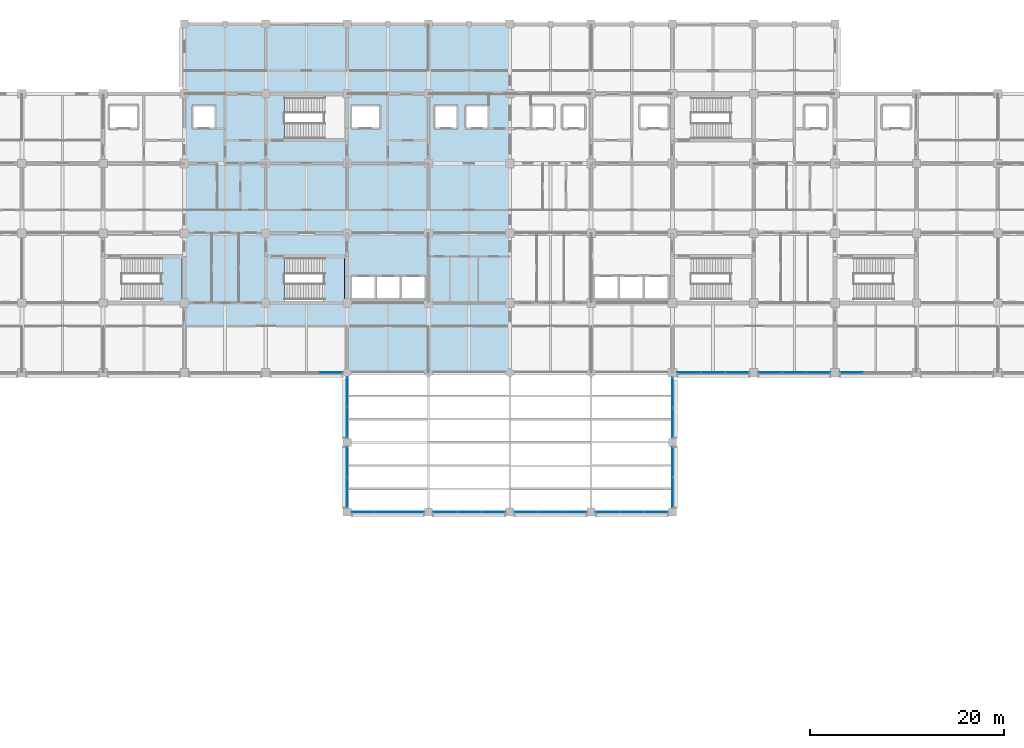
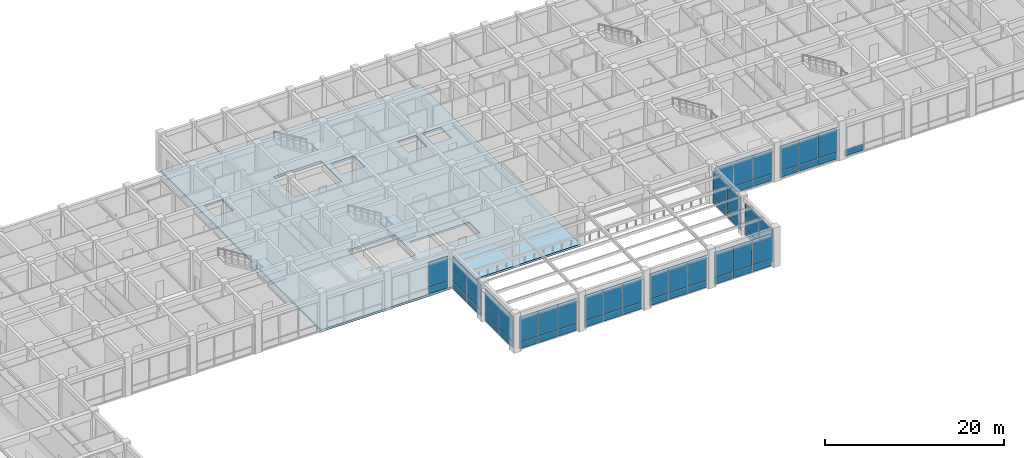
# One storey, part 27 of 58: 55 plates, 3 slabs, 14 elements without a shape of their own.
"""IFC4 building model written with IfcOpenShell, lengths in metres."""

from ifc_helpers import new_model, si_unit, direction, frame, origin, origin_2d, place, context, subcontext, project, spatial, polyline, rectangle, outline, extrude, material, layer, layer_set, type_object, element, aggregate, save


model = new_model("IFC4")

# Units and contexts
model_context = context("Model", 3, precision=1e-05, world=origin(), true_north=direction((0.0, 1.0)))
body_context = subcontext(model_context, "Body", "Model", "MODEL_VIEW")
ifc_project = project(units=[si_unit("LENGTHUNIT", "METRE"), si_unit("AREAUNIT", "SQUARE_METRE"), si_unit("VOLUMEUNIT", "CUBIC_METRE"), si_unit("PLANEANGLEUNIT", "RADIAN"), si_unit("MASSUNIT", "GRAM", prefix="KILO")], contexts=[model_context])

# Site, building, storey
site_placement = place(None, origin())
site = spatial("IfcSite", under=ifc_project, at=site_placement, CompositionType="ELEMENT")
building_placement = place(site_placement, origin())
building = spatial("IfcBuilding", under=site, at=building_placement, Name="Chengyuan Square Courthouse", CompositionType="ELEMENT")
storey_placement = place(building_placement, frame((0.0, 0.0, 16.199951171875)))
storey = spatial("IfcBuildingStorey", under=building, at=storey_placement, Name="L04", CompositionType="ELEMENT", Elevation=16.199951171875)

# Curtain wall, plates
ifc_material_1 = material(Name="Unitised Aluminium and Triple Low-E Glass", Category="aluminium")
ifc_layer_1 = layer(ifc_material_1, 0.179931640625)
ifc_layer_set_1 = layer_set([ifc_layer_1], Name="Unitised Aluminium and Triple Low-E Glass")
curtain_wall_type_1 = type_object("IfcCurtainWallType", Name="CW-10", PredefinedType="USERDEFINED", material=ifc_layer_set_1)
curtain_wall_1_placement = place(storey_placement, origin())
curtain_wall_1 = element("IfcCurtainWall", 1, at=curtain_wall_1_placement, inside=storey, type_object=curtain_wall_type_1, Name="Unitised Curtain Wall CW-L04-139", ObjectType="UNITISED CURTAIN WALL", PredefinedType="USERDEFINED")
ifc_material_2 = material(Name="Triple Low-E Insulating Glass", Category="glass")
ifc_layer_2 = layer(ifc_material_2, 0.052001953125)
ifc_layer_set_2 = layer_set([ifc_layer_2], Name="Triple Low-E Insulating Glass")
plate_type_1 = type_object("IfcPlateType", Name="CWP-04", PredefinedType="CURTAIN_PANEL", material=ifc_layer_set_2)
plate_1_placement = place(storey_placement, frame((65.504638671875, 79.199951171875, 0.06494140625), z_axis=(0.0, 0.0, 1.0), x_axis=(1.0, 0.0, 0.0)))
plate_1 = element("IfcPlate", 2, at=plate_1_placement, type_object=plate_type_1, Name="CW-10 panel 3.1", PredefinedType="CURTAIN_PANEL", context=body_context, shape_type="SweptSolid", body=[
    extrude(rectangle(XDim=2.410888671875, YDim=0.052001953125, at=origin_2d()), origin(), (0.0, 0.0, 1.0), 0.8525390625),
])
plate_2_placement = place(storey_placement, frame((65.504638671875, 79.199951171875, 0.982421875), z_axis=(0.0, 0.0, 1.0), x_axis=(1.0, 0.0, 0.0)))
plate_2 = element("IfcPlate", 3, at=plate_2_placement, type_object=plate_type_1, Name="CW-10 panel 3.2", PredefinedType="CURTAIN_PANEL", context=body_context, shape_type="SweptSolid", body=[
    extrude(rectangle(XDim=2.410888671875, YDim=0.052001953125, at=origin_2d()), origin(), (0.0, 0.0, 1.0), 3.422607421875),
])
aggregate(curtain_wall_1, [plate_1, plate_2])

curtain_wall_2_placement = place(storey_placement, origin())
curtain_wall_2 = element("IfcCurtainWall", 4, at=curtain_wall_2_placement, inside=storey, type_object=curtain_wall_type_1, Name="Unitised Curtain Wall CW-L04-140", ObjectType="UNITISED CURTAIN WALL", PredefinedType="USERDEFINED")
plate_3_placement = place(storey_placement, frame((68.899658203125, 64.800048828125, 0.06494140625), z_axis=(0.0, 0.0, 1.0), x_axis=(1.0, 0.0, 0.0)))
plate_3 = element("IfcPlate", 5, at=plate_3_placement, type_object=plate_type_1, Name="CW-10 panel 1.1", PredefinedType="CURTAIN_PANEL", context=body_context, shape_type="SweptSolid", body=[
    extrude(rectangle(XDim=2.419189453125, YDim=0.052001953125, at=origin_2d()), origin(), (0.0, 0.0, 1.0), 0.8525390625),
])
plate_4_placement = place(storey_placement, frame((68.899658203125, 64.800048828125, 0.982666015625), z_axis=(0.0, 0.0, 1.0), x_axis=(1.0, 0.0, 0.0)))
plate_4 = element("IfcPlate", 6, at=plate_4_placement, type_object=plate_type_1, Name="CW-10 panel 1.2", PredefinedType="CURTAIN_PANEL", context=body_context, shape_type="SweptSolid", body=[
    extrude(rectangle(XDim=2.419189453125, YDim=0.052001953125, at=origin_2d()), origin(), (0.0, 0.0, 1.0), 3.482421875),
])
plate_5_placement = place(storey_placement, frame((71.39990234375, 64.800048828125, 0.06494140625), z_axis=(0.0, 0.0, 1.0), x_axis=(1.0, 0.0, 0.0)))
plate_5 = element("IfcPlate", 7, at=plate_5_placement, type_object=plate_type_1, Name="CW-10 panel 2.1", PredefinedType="CURTAIN_PANEL", context=body_context, shape_type="SweptSolid", body=[
    extrude(rectangle(XDim=2.45166015625, YDim=0.052001953125, at=origin_2d()), origin(), (0.0, 0.0, 1.0), 0.8525390625),
])
plate_6_placement = place(storey_placement, frame((71.39990234375, 64.800048828125, 0.982666015625), z_axis=(0.0, 0.0, 1.0), x_axis=(1.0, 0.0, 0.0)))
plate_6 = element("IfcPlate", 8, at=plate_6_placement, type_object=plate_type_1, Name="CW-10 panel 2.2", PredefinedType="CURTAIN_PANEL", context=body_context, shape_type="SweptSolid", body=[
    extrude(rectangle(XDim=2.45166015625, YDim=0.052001953125, at=origin_2d()), origin(), (0.0, 0.0, 1.0), 3.482421875),
])
plate_7_placement = place(storey_placement, frame((73.900390625, 64.800048828125, 0.06494140625), z_axis=(0.0, 0.0, 1.0), x_axis=(1.0, 0.0, 0.0)))
plate_7 = element("IfcPlate", 9, at=plate_7_placement, type_object=plate_type_1, Name="CW-10 panel 3.1", PredefinedType="CURTAIN_PANEL", context=body_context, shape_type="SweptSolid", body=[
    extrude(rectangle(XDim=2.419189453125, YDim=0.052001953125, at=origin_2d()), origin(), (0.0, 0.0, 1.0), 0.8525390625),
])
plate_8_placement = place(storey_placement, frame((73.900390625, 64.800048828125, 0.982666015625), z_axis=(0.0, 0.0, 1.0), x_axis=(1.0, 0.0, 0.0)))
plate_8 = element("IfcPlate", 10, at=plate_8_placement, type_object=plate_type_1, Name="CW-10 panel 3.2", PredefinedType="CURTAIN_PANEL", context=body_context, shape_type="SweptSolid", body=[
    extrude(rectangle(XDim=2.419189453125, YDim=0.052001953125, at=origin_2d()), origin(), (0.0, 0.0, 1.0), 3.482421875),
])
aggregate(curtain_wall_2, [plate_3, plate_4, plate_5, plate_6, plate_7, plate_8])

curtain_wall_3_placement = place(storey_placement, origin())
curtain_wall_3 = element("IfcCurtainWall", 11, at=curtain_wall_3_placement, inside=storey, type_object=curtain_wall_type_1, Name="Unitised Curtain Wall CW-L04-143", ObjectType="UNITISED CURTAIN WALL", PredefinedType="USERDEFINED")
plate_9_placement = place(storey_placement, frame((77.299560546875, 64.800048828125, 0.06494140625), z_axis=(0.0, 0.0, 1.0), x_axis=(1.0, 0.0, 0.0)))
plate_9 = element("IfcPlate", 12, at=plate_9_placement, type_object=plate_type_1, Name="CW-10 panel 1.1", PredefinedType="CURTAIN_PANEL", context=body_context, shape_type="SweptSolid", body=[
    extrude(rectangle(XDim=2.419189453125, YDim=0.052001953125, at=origin_2d()), origin(), (0.0, 0.0, 1.0), 0.8525390625),
])
plate_10_placement = place(storey_placement, frame((77.299560546875, 64.800048828125, 0.982666015625), z_axis=(0.0, 0.0, 1.0), x_axis=(1.0, 0.0, 0.0)))
plate_10 = element("IfcPlate", 13, at=plate_10_placement, type_object=plate_type_1, Name="CW-10 panel 1.2", PredefinedType="CURTAIN_PANEL", context=body_context, shape_type="SweptSolid", body=[
    extrude(rectangle(XDim=2.419189453125, YDim=0.052001953125, at=origin_2d()), origin(), (0.0, 0.0, 1.0), 3.482421875),
])
plate_11_placement = place(storey_placement, frame((79.800048828125, 64.800048828125, 0.06494140625), z_axis=(0.0, 0.0, 1.0), x_axis=(1.0, 0.0, 0.0)))
plate_11 = element("IfcPlate", 14, at=plate_11_placement, type_object=plate_type_1, Name="CW-10 panel 2.1", PredefinedType="CURTAIN_PANEL", context=body_context, shape_type="SweptSolid", body=[
    extrude(rectangle(XDim=2.45166015625, YDim=0.052001953125, at=origin_2d()), origin(), (0.0, 0.0, 1.0), 0.8525390625),
])
plate_12_placement = place(storey_placement, frame((79.800048828125, 64.800048828125, 0.982666015625), z_axis=(0.0, 0.0, 1.0), x_axis=(1.0, 0.0, 0.0)))
plate_12 = element("IfcPlate", 15, at=plate_12_placement, type_object=plate_type_1, Name="CW-10 panel 2.2", PredefinedType="CURTAIN_PANEL", context=body_context, shape_type="SweptSolid", body=[
    extrude(rectangle(XDim=2.45166015625, YDim=0.052001953125, at=origin_2d()), origin(), (0.0, 0.0, 1.0), 3.482421875),
])
plate_13_placement = place(storey_placement, frame((82.300537109375, 64.800048828125, 0.06494140625), z_axis=(0.0, 0.0, 1.0), x_axis=(1.0, 0.0, 0.0)))
plate_13 = element("IfcPlate", 16, at=plate_13_placement, type_object=plate_type_1, Name="CW-10 panel 3.1", PredefinedType="CURTAIN_PANEL", context=body_context, shape_type="SweptSolid", body=[
    extrude(rectangle(XDim=2.419189453125, YDim=0.052001953125, at=origin_2d()), origin(), (0.0, 0.0, 1.0), 0.8525390625),
])
plate_14_placement = place(storey_placement, frame((82.300537109375, 64.800048828125, 0.982666015625), z_axis=(0.0, 0.0, 1.0), x_axis=(1.0, 0.0, 0.0)))
plate_14 = element("IfcPlate", 17, at=plate_14_placement, type_object=plate_type_1, Name="CW-10 panel 3.2", PredefinedType="CURTAIN_PANEL", context=body_context, shape_type="SweptSolid", body=[
    extrude(rectangle(XDim=2.419189453125, YDim=0.052001953125, at=origin_2d()), origin(), (0.0, 0.0, 1.0), 3.482421875),
])
aggregate(curtain_wall_3, [plate_9, plate_10, plate_11, plate_12, plate_13, plate_14])

curtain_wall_4_placement = place(storey_placement, origin())
curtain_wall_4 = element("IfcCurtainWall", 18, at=curtain_wall_4_placement, inside=storey, type_object=curtain_wall_type_1, Name="Unitised Curtain Wall CW-L04-144", ObjectType="UNITISED CURTAIN WALL", PredefinedType="USERDEFINED")
plate_15_placement = place(storey_placement, frame((85.699462890625, 64.800048828125, 0.06494140625), z_axis=(0.0, 0.0, 1.0), x_axis=(1.0, 0.0, 0.0)))
plate_15 = element("IfcPlate", 19, at=plate_15_placement, type_object=plate_type_1, Name="CW-10 panel 1.1", PredefinedType="CURTAIN_PANEL", context=body_context, shape_type="SweptSolid", body=[
    extrude(rectangle(XDim=2.419189453125, YDim=0.052001953125, at=origin_2d()), origin(), (0.0, 0.0, 1.0), 0.8525390625),
])
plate_16_placement = place(storey_placement, frame((85.699462890625, 64.800048828125, 0.982666015625), z_axis=(0.0, 0.0, 1.0), x_axis=(1.0, 0.0, 0.0)))
plate_16 = element("IfcPlate", 20, at=plate_16_placement, type_object=plate_type_1, Name="CW-10 panel 1.2", PredefinedType="CURTAIN_PANEL", context=body_context, shape_type="SweptSolid", body=[
    extrude(rectangle(XDim=2.419189453125, YDim=0.052001953125, at=origin_2d()), origin(), (0.0, 0.0, 1.0), 3.482421875),
])
plate_17_placement = place(storey_placement, frame((88.199951171875, 64.800048828125, 0.06494140625), z_axis=(0.0, 0.0, 1.0), x_axis=(1.0, 0.0, 0.0)))
plate_17 = element("IfcPlate", 21, at=plate_17_placement, type_object=plate_type_1, Name="CW-10 panel 2.1", PredefinedType="CURTAIN_PANEL", context=body_context, shape_type="SweptSolid", body=[
    extrude(rectangle(XDim=2.45166015625, YDim=0.052001953125, at=origin_2d()), origin(), (0.0, 0.0, 1.0), 0.8525390625),
])
plate_18_placement = place(storey_placement, frame((88.199951171875, 64.800048828125, 0.982666015625), z_axis=(0.0, 0.0, 1.0), x_axis=(1.0, 0.0, 0.0)))
plate_18 = element("IfcPlate", 22, at=plate_18_placement, type_object=plate_type_1, Name="CW-10 panel 2.2", PredefinedType="CURTAIN_PANEL", context=body_context, shape_type="SweptSolid", body=[
    extrude(rectangle(XDim=2.45166015625, YDim=0.052001953125, at=origin_2d()), origin(), (0.0, 0.0, 1.0), 3.482421875),
])
plate_19_placement = place(storey_placement, frame((90.700439453125, 64.800048828125, 0.06494140625), z_axis=(0.0, 0.0, 1.0), x_axis=(1.0, 0.0, 0.0)))
plate_19 = element("IfcPlate", 23, at=plate_19_placement, type_object=plate_type_1, Name="CW-10 panel 3.1", PredefinedType="CURTAIN_PANEL", context=body_context, shape_type="SweptSolid", body=[
    extrude(rectangle(XDim=2.419189453125, YDim=0.052001953125, at=origin_2d()), origin(), (0.0, 0.0, 1.0), 0.8525390625),
])
plate_20_placement = place(storey_placement, frame((90.700439453125, 64.800048828125, 0.982666015625), z_axis=(0.0, 0.0, 1.0), x_axis=(1.0, 0.0, 0.0)))
plate_20 = element("IfcPlate", 24, at=plate_20_placement, type_object=plate_type_1, Name="CW-10 panel 3.2", PredefinedType="CURTAIN_PANEL", context=body_context, shape_type="SweptSolid", body=[
    extrude(rectangle(XDim=2.419189453125, YDim=0.052001953125, at=origin_2d()), origin(), (0.0, 0.0, 1.0), 3.482421875),
])
aggregate(curtain_wall_4, [plate_15, plate_16, plate_17, plate_18, plate_19, plate_20])

curtain_wall_5_placement = place(storey_placement, origin())
curtain_wall_5 = element("IfcCurtainWall", 25, at=curtain_wall_5_placement, inside=storey, type_object=curtain_wall_type_1, Name="Unitised Curtain Wall CW-L04-145", ObjectType="UNITISED CURTAIN WALL", PredefinedType="USERDEFINED")
plate_21_placement = place(storey_placement, frame((94.099609375, 64.800048828125, 0.06494140625), z_axis=(0.0, 0.0, 1.0), x_axis=(1.0, 0.0, 0.0)))
plate_21 = element("IfcPlate", 26, at=plate_21_placement, type_object=plate_type_1, Name="CW-10 panel 1.1", PredefinedType="CURTAIN_PANEL", context=body_context, shape_type="SweptSolid", body=[
    extrude(rectangle(XDim=2.419189453125, YDim=0.052001953125, at=origin_2d()), origin(), (0.0, 0.0, 1.0), 0.8525390625),
])
plate_22_placement = place(storey_placement, frame((94.099609375, 64.800048828125, 0.982666015625), z_axis=(0.0, 0.0, 1.0), x_axis=(1.0, 0.0, 0.0)))
plate_22 = element("IfcPlate", 27, at=plate_22_placement, type_object=plate_type_1, Name="CW-10 panel 1.2", PredefinedType="CURTAIN_PANEL", context=body_context, shape_type="SweptSolid", body=[
    extrude(rectangle(XDim=2.419189453125, YDim=0.052001953125, at=origin_2d()), origin(), (0.0, 0.0, 1.0), 3.482421875),
])
plate_23_placement = place(storey_placement, frame((96.60009765625, 64.800048828125, 0.06494140625), z_axis=(0.0, 0.0, 1.0), x_axis=(1.0, 0.0, 0.0)))
plate_23 = element("IfcPlate", 28, at=plate_23_placement, type_object=plate_type_1, Name="CW-10 panel 2.1", PredefinedType="CURTAIN_PANEL", context=body_context, shape_type="SweptSolid", body=[
    extrude(rectangle(XDim=2.45166015625, YDim=0.052001953125, at=origin_2d()), origin(), (0.0, 0.0, 1.0), 0.8525390625),
])
plate_24_placement = place(storey_placement, frame((96.60009765625, 64.800048828125, 0.982666015625), z_axis=(0.0, 0.0, 1.0), x_axis=(1.0, 0.0, 0.0)))
plate_24 = element("IfcPlate", 29, at=plate_24_placement, type_object=plate_type_1, Name="CW-10 panel 2.2", PredefinedType="CURTAIN_PANEL", context=body_context, shape_type="SweptSolid", body=[
    extrude(rectangle(XDim=2.45166015625, YDim=0.052001953125, at=origin_2d()), origin(), (0.0, 0.0, 1.0), 3.482421875),
])
plate_25_placement = place(storey_placement, frame((99.100341796875, 64.800048828125, 0.06494140625), z_axis=(0.0, 0.0, 1.0), x_axis=(1.0, 0.0, 0.0)))
plate_25 = element("IfcPlate", 30, at=plate_25_placement, type_object=plate_type_1, Name="CW-10 panel 3.1", PredefinedType="CURTAIN_PANEL", context=body_context, shape_type="SweptSolid", body=[
    extrude(rectangle(XDim=2.419189453125, YDim=0.052001953125, at=origin_2d()), origin(), (0.0, 0.0, 1.0), 0.8525390625),
])
plate_26_placement = place(storey_placement, frame((99.100341796875, 64.800048828125, 0.982666015625), z_axis=(0.0, 0.0, 1.0), x_axis=(1.0, 0.0, 0.0)))
plate_26 = element("IfcPlate", 31, at=plate_26_placement, type_object=plate_type_1, Name="CW-10 panel 3.2", PredefinedType="CURTAIN_PANEL", context=body_context, shape_type="SweptSolid", body=[
    extrude(rectangle(XDim=2.419189453125, YDim=0.052001953125, at=origin_2d()), origin(), (0.0, 0.0, 1.0), 3.482421875),
])
aggregate(curtain_wall_5, [plate_21, plate_22, plate_23, plate_24, plate_25, plate_26])

curtain_wall_6_placement = place(storey_placement, origin())
curtain_wall_6 = element("IfcCurtainWall", 32, at=curtain_wall_6_placement, inside=storey, type_object=curtain_wall_type_1, Name="Unitised Curtain Wall CW-L04-148", ObjectType="UNITISED CURTAIN WALL", PredefinedType="USERDEFINED")
plate_27_placement = place(storey_placement, frame((102.516357421875, 79.199951171875, 0.06494140625), z_axis=(0.0, 0.0, 1.0), x_axis=(1.0, 0.0, 0.0)))
plate_27 = element("IfcPlate", 33, at=plate_27_placement, type_object=plate_type_1, Name="CW-10 panel 1.1", PredefinedType="CURTAIN_PANEL", context=body_context, shape_type="SweptSolid", body=[
    extrude(rectangle(XDim=2.402587890625, YDim=0.052001953125, at=origin_2d()), origin(), (0.0, 0.0, 1.0), 0.8525390625),
])
plate_28_placement = place(storey_placement, frame((102.516357421875, 79.199951171875, 0.982421875), z_axis=(0.0, 0.0, 1.0), x_axis=(1.0, 0.0, 0.0)))
plate_28 = element("IfcPlate", 34, at=plate_28_placement, type_object=plate_type_1, Name="CW-10 panel 1.2", PredefinedType="CURTAIN_PANEL", context=body_context, shape_type="SweptSolid", body=[
    extrude(rectangle(XDim=2.402587890625, YDim=0.052001953125, at=origin_2d()), origin(), (0.0, 0.0, 1.0), 3.422607421875),
])
plate_29_placement = place(storey_placement, frame((105.0, 79.199951171875, 0.06494140625), z_axis=(0.0, 0.0, 1.0), x_axis=(1.0, 0.0, 0.0)))
plate_29 = element("IfcPlate", 35, at=plate_29_placement, type_object=plate_type_1, Name="CW-10 panel 2.1", PredefinedType="CURTAIN_PANEL", context=body_context, shape_type="SweptSolid", body=[
    extrude(rectangle(XDim=2.43505859375, YDim=0.052001953125, at=origin_2d()), origin(), (0.0, 0.0, 1.0), 0.8525390625),
])
plate_30_placement = place(storey_placement, frame((105.0, 79.199951171875, 0.982421875), z_axis=(0.0, 0.0, 1.0), x_axis=(1.0, 0.0, 0.0)))
plate_30 = element("IfcPlate", 36, at=plate_30_placement, type_object=plate_type_1, Name="CW-10 panel 2.2", PredefinedType="CURTAIN_PANEL", context=body_context, shape_type="SweptSolid", body=[
    extrude(rectangle(XDim=2.43505859375, YDim=0.052001953125, at=origin_2d()), origin(), (0.0, 0.0, 1.0), 3.422607421875),
])
plate_31_placement = place(storey_placement, frame((107.483642578125, 79.199951171875, 0.06494140625), z_axis=(0.0, 0.0, 1.0), x_axis=(1.0, 0.0, 0.0)))
plate_31 = element("IfcPlate", 37, at=plate_31_placement, type_object=plate_type_1, Name="CW-10 panel 3.1", PredefinedType="CURTAIN_PANEL", context=body_context, shape_type="SweptSolid", body=[
    extrude(rectangle(XDim=2.402587890625, YDim=0.052001953125, at=origin_2d()), origin(), (0.0, 0.0, 1.0), 0.8525390625),
])
plate_32_placement = place(storey_placement, frame((107.483642578125, 79.199951171875, 0.982421875), z_axis=(0.0, 0.0, 1.0), x_axis=(1.0, 0.0, 0.0)))
plate_32 = element("IfcPlate", 38, at=plate_32_placement, type_object=plate_type_1, Name="CW-10 panel 3.2", PredefinedType="CURTAIN_PANEL", context=body_context, shape_type="SweptSolid", body=[
    extrude(rectangle(XDim=2.402587890625, YDim=0.052001953125, at=origin_2d()), origin(), (0.0, 0.0, 1.0), 3.422607421875),
])
aggregate(curtain_wall_6, [plate_27, plate_28, plate_29, plate_30, plate_31, plate_32])

curtain_wall_7_placement = place(storey_placement, origin())
curtain_wall_7 = element("IfcCurtainWall", 39, at=curtain_wall_7_placement, inside=storey, type_object=curtain_wall_type_1, Name="Unitised Curtain Wall CW-L04-149", ObjectType="UNITISED CURTAIN WALL", PredefinedType="USERDEFINED")
plate_33_placement = place(storey_placement, frame((110.916259765625, 79.199951171875, 0.06494140625), z_axis=(0.0, 0.0, 1.0), x_axis=(1.0, 0.0, 0.0)))
plate_33 = element("IfcPlate", 40, at=plate_33_placement, type_object=plate_type_1, Name="CW-10 panel 1.1", PredefinedType="CURTAIN_PANEL", context=body_context, shape_type="SweptSolid", body=[
    extrude(rectangle(XDim=2.402587890625, YDim=0.052001953125, at=origin_2d()), origin(), (0.0, 0.0, 1.0), 0.8525390625),
])
plate_34_placement = place(storey_placement, frame((110.916259765625, 79.199951171875, 0.982421875), z_axis=(0.0, 0.0, 1.0), x_axis=(1.0, 0.0, 0.0)))
plate_34 = element("IfcPlate", 41, at=plate_34_placement, type_object=plate_type_1, Name="CW-10 panel 1.2", PredefinedType="CURTAIN_PANEL", context=body_context, shape_type="SweptSolid", body=[
    extrude(rectangle(XDim=2.402587890625, YDim=0.052001953125, at=origin_2d()), origin(), (0.0, 0.0, 1.0), 3.422607421875),
])
plate_35_placement = place(storey_placement, frame((113.39990234375, 79.199951171875, 0.06494140625), z_axis=(0.0, 0.0, 1.0), x_axis=(1.0, 0.0, 0.0)))
plate_35 = element("IfcPlate", 42, at=plate_35_placement, type_object=plate_type_1, Name="CW-10 panel 2.1", PredefinedType="CURTAIN_PANEL", context=body_context, shape_type="SweptSolid", body=[
    extrude(rectangle(XDim=2.43505859375, YDim=0.052001953125, at=origin_2d()), origin(), (0.0, 0.0, 1.0), 0.8525390625),
])
plate_36_placement = place(storey_placement, frame((113.39990234375, 79.199951171875, 0.982421875), z_axis=(0.0, 0.0, 1.0), x_axis=(1.0, 0.0, 0.0)))
plate_36 = element("IfcPlate", 43, at=plate_36_placement, type_object=plate_type_1, Name="CW-10 panel 2.2", PredefinedType="CURTAIN_PANEL", context=body_context, shape_type="SweptSolid", body=[
    extrude(rectangle(XDim=2.43505859375, YDim=0.052001953125, at=origin_2d()), origin(), (0.0, 0.0, 1.0), 3.422607421875),
])
plate_37_placement = place(storey_placement, frame((115.8837890625, 79.199951171875, 0.06494140625), z_axis=(0.0, 0.0, 1.0), x_axis=(1.0, 0.0, 0.0)))
plate_37 = element("IfcPlate", 44, at=plate_37_placement, type_object=plate_type_1, Name="CW-10 panel 3.1", PredefinedType="CURTAIN_PANEL", context=body_context, shape_type="SweptSolid", body=[
    extrude(rectangle(XDim=2.402587890625, YDim=0.052001953125, at=origin_2d()), origin(), (0.0, 0.0, 1.0), 0.8525390625),
])
plate_38_placement = place(storey_placement, frame((115.8837890625, 79.199951171875, 0.982421875), z_axis=(0.0, 0.0, 1.0), x_axis=(1.0, 0.0, 0.0)))
plate_38 = element("IfcPlate", 45, at=plate_38_placement, type_object=plate_type_1, Name="CW-10 panel 3.2", PredefinedType="CURTAIN_PANEL", context=body_context, shape_type="SweptSolid", body=[
    extrude(rectangle(XDim=2.402587890625, YDim=0.052001953125, at=origin_2d()), origin(), (0.0, 0.0, 1.0), 3.422607421875),
])
aggregate(curtain_wall_7, [plate_33, plate_34, plate_35, plate_36, plate_37, plate_38])

# Curtain wall, plate
curtain_wall_8_placement = place(storey_placement, origin())
curtain_wall_8 = element("IfcCurtainWall", 46, at=curtain_wall_8_placement, inside=storey, type_object=curtain_wall_type_1, Name="Unitised Curtain Wall CW-L04-150", ObjectType="UNITISED CURTAIN WALL", PredefinedType="USERDEFINED")
plate_39_placement = place(storey_placement, frame((119.3203125, 79.199951171875, 0.06494140625), z_axis=(0.0, 0.0, 1.0), x_axis=(1.0, 0.0, 0.0)))
plate_39 = element("IfcPlate", 47, at=plate_39_placement, type_object=plate_type_1, Name="CW-10 panel 1.1", PredefinedType="CURTAIN_PANEL", context=body_context, shape_type="SweptSolid", body=[
    extrude(rectangle(XDim=2.410888671875, YDim=0.052001953125, at=origin_2d()), origin(), (0.0, 0.0, 1.0), 0.8525390625),
])
aggregate(curtain_wall_8, [plate_39])

# Curtain wall, plates
ifc_layer_3 = layer(ifc_material_1, 0.199951171875)
ifc_layer_set_3 = layer_set([ifc_layer_3], Name="Unitised Aluminium and Triple Low-E Glass")
curtain_wall_type_2 = type_object("IfcCurtainWallType", Name="CW-23", PredefinedType="USERDEFINED", material=ifc_layer_set_3)
curtain_wall_9_placement = place(storey_placement, origin())
curtain_wall_9 = element("IfcCurtainWall", 48, at=curtain_wall_9_placement, inside=storey, type_object=curtain_wall_type_2, Name="Unitised Curtain Wall CW-L04-141", ObjectType="UNITISED CURTAIN WALL", PredefinedType="USERDEFINED")
ifc_layer_4 = layer(ifc_material_2, 0.06201171875)
ifc_layer_set_4 = layer_set([ifc_layer_4], Name="Triple Low-E Insulating Glass")
plate_type_2 = type_object("IfcPlateType", Name="CWP-05", PredefinedType="CURTAIN_PANEL", material=ifc_layer_set_4)
plate_40_placement = place(storey_placement, frame((67.199951171875, 66.830078125, 0.06982421875), z_axis=(0.0, 0.0, 1.0), x_axis=(0.0, 1.0, 0.0)))
plate_40 = element("IfcPlate", 49, at=plate_40_placement, type_object=plate_type_2, Name="CW-23 panel 1.1", PredefinedType="CURTAIN_PANEL", context=body_context, shape_type="SweptSolid", body=[
    extrude(rectangle(XDim=3.070068359375, YDim=0.06201171875, at=origin_2d()), origin(), (0.0, 0.0, 1.0), 0.844970703125),
])
plate_41_placement = place(storey_placement, frame((67.199951171875, 66.830078125, 0.985107421875), z_axis=(0.0, 0.0, 1.0), x_axis=(0.0, 1.0, 0.0)))
plate_41 = element("IfcPlate", 50, at=plate_41_placement, type_object=plate_type_2, Name="CW-23 panel 1.2", PredefinedType="CURTAIN_PANEL", context=body_context, shape_type="SweptSolid", body=[
    extrude(rectangle(XDim=3.070068359375, YDim=0.06201171875, at=origin_2d()), origin(), (0.0, 0.0, 1.0), 3.47509765625),
])
plate_42_placement = place(storey_placement, frame((67.199951171875, 69.969970703125, 0.06982421875), z_axis=(0.0, 0.0, 1.0), x_axis=(0.0, 1.0, 0.0)))
plate_42 = element("IfcPlate", 51, at=plate_42_placement, type_object=plate_type_2, Name="CW-23 panel 2.1", PredefinedType="CURTAIN_PANEL", context=body_context, shape_type="SweptSolid", body=[
    extrude(rectangle(XDim=3.070068359375, YDim=0.06201171875, at=origin_2d()), origin(), (0.0, 0.0, 1.0), 0.844970703125),
])
plate_43_placement = place(storey_placement, frame((67.199951171875, 69.969970703125, 0.985107421875), z_axis=(0.0, 0.0, 1.0), x_axis=(0.0, 1.0, 0.0)))
plate_43 = element("IfcPlate", 52, at=plate_43_placement, type_object=plate_type_2, Name="CW-23 panel 2.2", PredefinedType="CURTAIN_PANEL", context=body_context, shape_type="SweptSolid", body=[
    extrude(rectangle(XDim=3.070068359375, YDim=0.06201171875, at=origin_2d()), origin(), (0.0, 0.0, 1.0), 3.47509765625),
])
aggregate(curtain_wall_9, [plate_40, plate_41, plate_42, plate_43])

curtain_wall_10_placement = place(storey_placement, origin())
curtain_wall_10 = element("IfcCurtainWall", 53, at=curtain_wall_10_placement, inside=storey, type_object=curtain_wall_type_2, Name="Unitised Curtain Wall CW-L04-142", ObjectType="UNITISED CURTAIN WALL", PredefinedType="USERDEFINED")
plate_44_placement = place(storey_placement, frame((67.199951171875, 74.030029296875, 0.06982421875), z_axis=(0.0, 0.0, 1.0), x_axis=(0.0, 1.0, 0.0)))
plate_44 = element("IfcPlate", 54, at=plate_44_placement, type_object=plate_type_2, Name="CW-23 panel 1.1", PredefinedType="CURTAIN_PANEL", context=body_context, shape_type="SweptSolid", body=[
    extrude(rectangle(XDim=3.070068359375, YDim=0.06201171875, at=origin_2d()), origin(), (0.0, 0.0, 1.0), 0.844970703125),
])
plate_45_placement = place(storey_placement, frame((67.199951171875, 74.030029296875, 0.985107421875), z_axis=(0.0, 0.0, 1.0), x_axis=(0.0, 1.0, 0.0)))
plate_45 = element("IfcPlate", 55, at=plate_45_placement, type_object=plate_type_2, Name="CW-23 panel 1.2", PredefinedType="CURTAIN_PANEL", context=body_context, shape_type="SweptSolid", body=[
    extrude(rectangle(XDim=3.070068359375, YDim=0.06201171875, at=origin_2d()), origin(), (0.0, 0.0, 1.0), 3.47509765625),
])
plate_46_placement = place(storey_placement, frame((67.199951171875, 77.169921875, 0.06982421875), z_axis=(0.0, 0.0, 1.0), x_axis=(0.0, 1.0, 0.0)))
plate_46 = element("IfcPlate", 56, at=plate_46_placement, type_object=plate_type_2, Name="CW-23 panel 2.1", PredefinedType="CURTAIN_PANEL", context=body_context, shape_type="SweptSolid", body=[
    extrude(rectangle(XDim=3.070068359375, YDim=0.06201171875, at=origin_2d()), origin(), (0.0, 0.0, 1.0), 0.844970703125),
])
plate_47_placement = place(storey_placement, frame((67.199951171875, 77.169921875, 0.985107421875), z_axis=(0.0, 0.0, 1.0), x_axis=(0.0, 1.0, 0.0)))
plate_47 = element("IfcPlate", 57, at=plate_47_placement, type_object=plate_type_2, Name="CW-23 panel 2.2", PredefinedType="CURTAIN_PANEL", context=body_context, shape_type="SweptSolid", body=[
    extrude(rectangle(XDim=3.070068359375, YDim=0.06201171875, at=origin_2d()), origin(), (0.0, 0.0, 1.0), 3.47509765625),
])
aggregate(curtain_wall_10, [plate_44, plate_45, plate_46, plate_47])

curtain_wall_11_placement = place(storey_placement, origin())
curtain_wall_11 = element("IfcCurtainWall", 58, at=curtain_wall_11_placement, inside=storey, type_object=curtain_wall_type_2, Name="Unitised Curtain Wall CW-L04-146", ObjectType="UNITISED CURTAIN WALL", PredefinedType="USERDEFINED")
plate_48_placement = place(storey_placement, frame((100.800048828125, 66.830078125, 0.06982421875), z_axis=(0.0, 0.0, 1.0), x_axis=(0.0, 1.0, 0.0)))
plate_48 = element("IfcPlate", 59, at=plate_48_placement, type_object=plate_type_2, Name="CW-23 panel 1.1", PredefinedType="CURTAIN_PANEL", context=body_context, shape_type="SweptSolid", body=[
    extrude(rectangle(XDim=3.070068359375, YDim=0.06201171875, at=origin_2d()), origin(), (0.0, 0.0, 1.0), 0.844970703125),
])
plate_49_placement = place(storey_placement, frame((100.800048828125, 66.830078125, 0.985107421875), z_axis=(0.0, 0.0, 1.0), x_axis=(0.0, 1.0, 0.0)))
plate_49 = element("IfcPlate", 60, at=plate_49_placement, type_object=plate_type_2, Name="CW-23 panel 1.2", PredefinedType="CURTAIN_PANEL", context=body_context, shape_type="SweptSolid", body=[
    extrude(rectangle(XDim=3.070068359375, YDim=0.06201171875, at=origin_2d()), origin(), (0.0, 0.0, 1.0), 3.47509765625),
])
plate_50_placement = place(storey_placement, frame((100.800048828125, 69.969970703125, 0.06982421875), z_axis=(0.0, 0.0, 1.0), x_axis=(0.0, 1.0, 0.0)))
plate_50 = element("IfcPlate", 61, at=plate_50_placement, type_object=plate_type_2, Name="CW-23 panel 2.1", PredefinedType="CURTAIN_PANEL", context=body_context, shape_type="SweptSolid", body=[
    extrude(rectangle(XDim=3.070068359375, YDim=0.06201171875, at=origin_2d()), origin(), (0.0, 0.0, 1.0), 0.844970703125),
])
plate_51_placement = place(storey_placement, frame((100.800048828125, 69.969970703125, 0.985107421875), z_axis=(0.0, 0.0, 1.0), x_axis=(0.0, 1.0, 0.0)))
plate_51 = element("IfcPlate", 62, at=plate_51_placement, type_object=plate_type_2, Name="CW-23 panel 2.2", PredefinedType="CURTAIN_PANEL", context=body_context, shape_type="SweptSolid", body=[
    extrude(rectangle(XDim=3.070068359375, YDim=0.06201171875, at=origin_2d()), origin(), (0.0, 0.0, 1.0), 3.47509765625),
])
aggregate(curtain_wall_11, [plate_48, plate_49, plate_50, plate_51])

curtain_wall_12_placement = place(storey_placement, origin())
curtain_wall_12 = element("IfcCurtainWall", 63, at=curtain_wall_12_placement, inside=storey, type_object=curtain_wall_type_2, Name="Unitised Curtain Wall CW-L04-147", ObjectType="UNITISED CURTAIN WALL", PredefinedType="USERDEFINED")
plate_52_placement = place(storey_placement, frame((100.800048828125, 74.023681640625, 0.06982421875), z_axis=(0.0, 0.0, 1.0), x_axis=(0.0, 1.0, 0.0)))
plate_52 = element("IfcPlate", 64, at=plate_52_placement, type_object=plate_type_2, Name="CW-23 panel 1.1", PredefinedType="CURTAIN_PANEL", context=body_context, shape_type="SweptSolid", body=[
    extrude(rectangle(XDim=3.0576171875, YDim=0.06201171875, at=origin_2d()), origin(), (0.0, 0.0, 1.0), 0.844970703125),
])
plate_53_placement = place(storey_placement, frame((100.800048828125, 74.023681640625, 0.985107421875), z_axis=(0.0, 0.0, 1.0), x_axis=(0.0, 1.0, 0.0)))
plate_53 = element("IfcPlate", 65, at=plate_53_placement, type_object=plate_type_2, Name="CW-23 panel 1.2", PredefinedType="CURTAIN_PANEL", context=body_context, shape_type="SweptSolid", body=[
    extrude(rectangle(XDim=3.0576171875, YDim=0.06201171875, at=origin_2d()), origin(), (0.0, 0.0, 1.0), 3.47509765625),
])
plate_54_placement = place(storey_placement, frame((100.800048828125, 77.1513671875, 0.06982421875), z_axis=(0.0, 0.0, 1.0), x_axis=(0.0, 1.0, 0.0)))
plate_54 = element("IfcPlate", 66, at=plate_54_placement, type_object=plate_type_2, Name="CW-23 panel 2.1", PredefinedType="CURTAIN_PANEL", context=body_context, shape_type="SweptSolid", body=[
    extrude(rectangle(XDim=3.0576171875, YDim=0.06201171875, at=origin_2d()), origin(), (0.0, 0.0, 1.0), 0.844970703125),
])
plate_55_placement = place(storey_placement, frame((100.800048828125, 77.1513671875, 0.985107421875), z_axis=(0.0, 0.0, 1.0), x_axis=(0.0, 1.0, 0.0)))
plate_55 = element("IfcPlate", 67, at=plate_55_placement, type_object=plate_type_2, Name="CW-23 panel 2.2", PredefinedType="CURTAIN_PANEL", context=body_context, shape_type="SweptSolid", body=[
    extrude(rectangle(XDim=3.0576171875, YDim=0.06201171875, at=origin_2d()), origin(), (0.0, 0.0, 1.0), 3.47509765625),
])
aggregate(curtain_wall_12, [plate_52, plate_53, plate_54, plate_55])

# Stair, slab
ifc_material_3 = material(Name="Concrete C40", Category="concrete")
stair_type_1 = type_object("IfcStairType", Name="ST-TYPE-03", PredefinedType="HALF_TURN_STAIR", material=ifc_material_3)
stair_1_placement = place(storey_placement, origin())
stair_1 = element("IfcStair", 68, at=stair_1_placement, inside=storey, type_object=stair_type_1, Name="Smoke-Proof Exit Stair ST-3 (L04 to L05)", PredefinedType="HALF_TURN_STAIR")
ifc_layer_5 = layer(ifc_material_3, 0.18994140625)
ifc_layer_set_5 = layer_set([ifc_layer_5], Name="Concrete C40")
slab_type_1 = type_object("IfcSlabType", Name="SL-LND1", PredefinedType="LANDING", material=ifc_layer_set_5)
slab_1_placement = place(storey_placement, frame((0.0, 0.0, 2.510009765625)))
slab_1 = element("IfcSlab", 69, at=slab_1_placement, type_object=slab_type_1, Name="ST-3 landing 1", PredefinedType="LANDING", context=body_context, shape_type="SweptSolid", body=[
    extrude(outline(polyline([(64.72998046875, 86.56005859375), (66.93994140625, 86.56005859375), (66.93994140625, 91.239990234375), (64.72998046875, 91.239990234375), (64.72998046875, 86.56005859375)])), origin(), (0.0, 0.0, 1.0), 0.18994140625),
])
aggregate(stair_1, [slab_1])

stair_type_2 = type_object("IfcStairType", Name="ST-TYPE-05", PredefinedType="HALF_TURN_STAIR", material=ifc_material_3)
stair_2_placement = place(storey_placement, origin())
stair_2 = element("IfcStair", 70, at=stair_2_placement, inside=storey, type_object=stair_type_2, Name="Smoke-Proof Exit Stair ST-5 (L04 to L05)", PredefinedType="HALF_TURN_STAIR")
slab_2_placement = place(storey_placement, frame((0.0, 0.0, 2.510009765625)))
slab_2 = element("IfcSlab", 71, at=slab_2_placement, type_object=slab_type_1, Name="ST-5 landing 1", PredefinedType="LANDING", context=body_context, shape_type="SweptSolid", body=[
    extrude(outline(polyline([(47.929931640625, 86.56005859375), (50.139892578125, 86.56005859375), (50.139892578125, 91.239990234375), (47.929931640625, 91.239990234375), (47.929931640625, 86.56005859375)])), origin(), (0.0, 0.0, 1.0), 0.18994140625),
])
aggregate(stair_2, [slab_2])

# Slab
ifc_material_4 = material(Name="Post-tensioned Concrete C50", Category="concrete")
ifc_layer_6 = layer(ifc_material_4, 0.280029296875)
ifc_layer_set_6 = layer_set([ifc_layer_6], Name="Post-tensioned Concrete C50")
slab_type_2 = type_object("IfcSlabType", Name="SL-PT28", PredefinedType="FLOOR", material=ifc_layer_set_6)
slab_3_placement = place(storey_placement, frame((0.0, 0.0, -0.280029296875)))
element("IfcSlab", 72, at=slab_3_placement, inside=storey, type_object=slab_type_2, Name="Suspended Floor Slab SL-L04-02", PredefinedType="FLOOR", context=body_context, shape_type="SweptSolid", body=[
    extrude(outline(polyline([(50.39990234375, 115.199951171875), (58.800048828125, 115.199951171875), (67.199951171875, 115.199951171875), (75.60009765625, 115.199951171875), (84.0, 115.199951171875), (84.0, 79.199951171875), (67.199951171875, 79.199951171875), (58.800048828125, 79.199951171875), (50.39990234375, 79.199951171875), (50.39990234375, 108.0), (50.39990234375, 115.199951171875)]), holes=[polyline([(70.14990234375, 89.199951171875), (67.60009765625, 89.199951171875), (67.60009765625, 86.800048828125), (70.14990234375, 86.800048828125), (72.75, 86.800048828125), (75.300048828125, 86.800048828125), (75.300048828125, 89.199951171875), (72.75, 89.199951171875), (70.14990234375, 89.199951171875)]), polyline([(66.89990234375, 91.199951171875), (60.75, 91.199951171875), (60.75, 86.60009765625), (66.89990234375, 86.60009765625), (66.89990234375, 91.199951171875)]), polyline([(66.89990234375, 107.800048828125), (60.75, 107.800048828125), (60.75, 103.199951171875), (66.89990234375, 103.199951171875), (66.89990234375, 107.800048828125)]), polyline([(53.60009765625, 106.800048828125), (51.199951171875, 106.800048828125), (51.199951171875, 104.39990234375), (53.60009765625, 104.39990234375), (53.60009765625, 106.800048828125)]), polyline([(70.60009765625, 106.800048828125), (67.60009765625, 106.800048828125), (67.60009765625, 104.39990234375), (70.60009765625, 104.39990234375), (70.60009765625, 106.800048828125)]), polyline([(78.60009765625, 106.800048828125), (76.199951171875, 106.800048828125), (76.199951171875, 104.39990234375), (78.60009765625, 104.39990234375), (78.60009765625, 106.800048828125)]), polyline([(79.39990234375, 106.800048828125), (79.39990234375, 104.39990234375), (81.800048828125, 104.39990234375), (81.800048828125, 106.800048828125), (79.39990234375, 106.800048828125)])]), origin(), (0.0, 0.0, 1.0), 0.280029296875),
])

save(model, "model.ifc")
